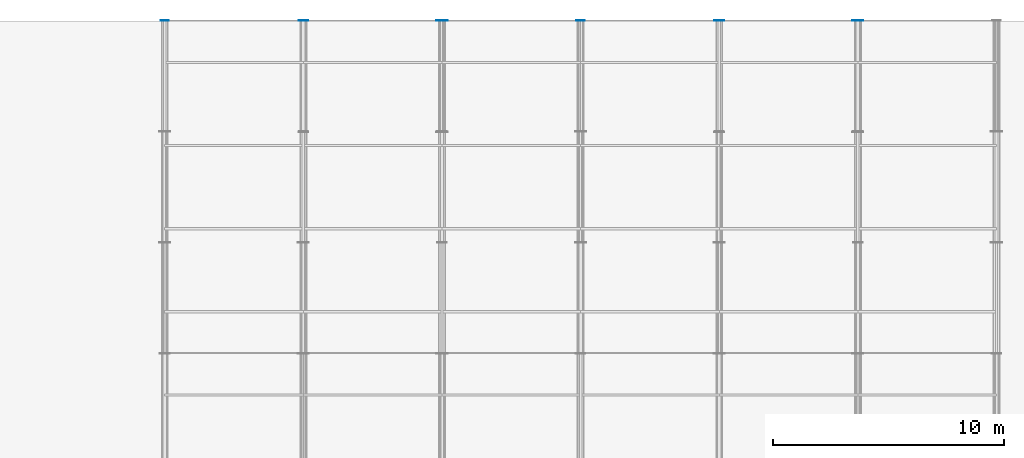
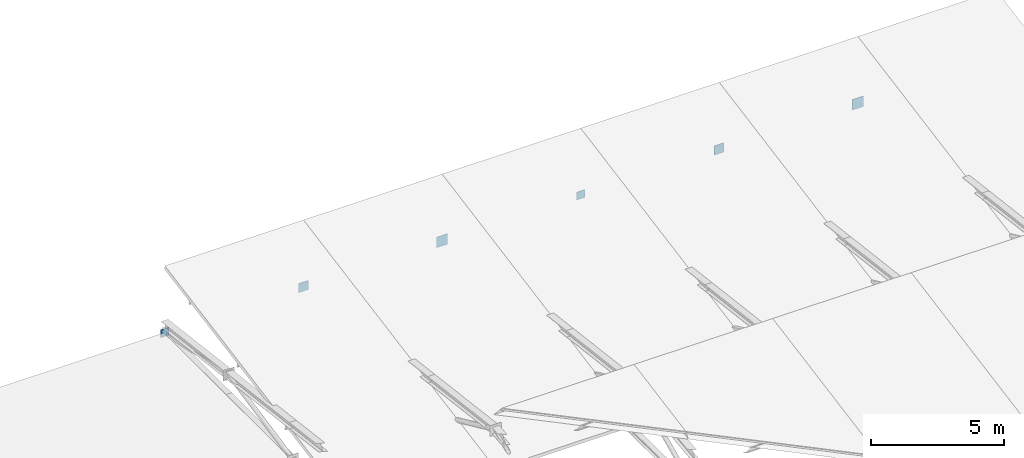
# One storey, part 18 of 32: 6 plates.
"""IFC4 building model written with IfcOpenShell, lengths in metres."""

from ifc_helpers import new_model, si_unit, direction, frame, origin, origin_2d, place, context, subcontext, project, spatial, rectangle, extrude, material, layer, layer_set, type_object, element, save


model = new_model("IFC4")

# Units and contexts
model_context = context("Model", 3, precision=1e-05, world=origin(), true_north=direction((0.0, 1.0)))
body_context = subcontext(model_context, "Body", "Model", "MODEL_VIEW")
ifc_project = project(units=[si_unit("LENGTHUNIT", "METRE"), si_unit("AREAUNIT", "SQUARE_METRE"), si_unit("VOLUMEUNIT", "CUBIC_METRE"), si_unit("PLANEANGLEUNIT", "RADIAN"), si_unit("MASSUNIT", "GRAM", prefix="KILO")], contexts=[model_context])

# Site, building, storey
site_placement = place(None, origin())
site = spatial("IfcSite", under=ifc_project, at=site_placement, CompositionType="ELEMENT")
building_placement = place(site_placement, origin())
building = spatial("IfcBuilding", under=site, at=building_placement, Name="Brisavento Harbour Community Centre", CompositionType="ELEMENT")
storey_placement = place(building_placement, frame((0.0, 0.0, 12.89990234375)))
storey = spatial("IfcBuildingStorey", under=building, at=storey_placement, Name="L03", CompositionType="ELEMENT", Elevation=12.89990234375)

# Plates
ifc_material = material(Name="Steel S355", Category="steel")
ifc_layer_1 = layer(ifc_material, 0.01611328125, Name="Steel S355")
ifc_layer_set_1 = layer_set([ifc_layer_1], Name="Steel S355")
plate_type_1 = type_object("IfcPlateType", Name="PLT-GUS-1", PredefinedType="USERDEFINED", material=ifc_layer_set_1)
for number, where, z_axis, x_axis, name in (
    (1, (129.60009765625, 115.203857421875, -0.1806640625), (0.0, 0.0, 1.0), (0.0, 1.0, 0.0), "V4-TR1-DG6 hollow-end cap plate 2"),
    (2, (147.60009765625, 115.203857421875, -0.1806640625), (0.0, 0.0, 1.0), (0.0, 1.0, 0.0), "V4-TR4-DG6 hollow-end cap plate 2"),
):
    element("IfcPlate", number, at=place(storey_placement, frame(where, z_axis=z_axis, x_axis=x_axis)), inside=storey, type_object=plate_type_1, Name=name, ObjectType="GUSSET PLATE", PredefinedType="USERDEFINED", context=body_context, shape_type="SweptSolid", body=[
        extrude(rectangle(XDim=0.01611328125, YDim=0.360107421875, at=origin_2d()), origin(), (0.0, 0.0, 1.0), 0.360107421875),
    ])
ifc_layer_2 = layer(ifc_material, 0.02001953125, Name="Steel S355")
ifc_layer_set_2 = layer_set([ifc_layer_2], Name="Steel S355")
plate_type_2 = type_object("IfcPlateType", Name="PLT-GUS-2", PredefinedType="USERDEFINED", material=ifc_layer_set_2)
for number, where, z_axis, x_axis, name in (
    (3, (135.60009765625, 115.204833984375, -0.2109375), (0.0, 0.0, 1.0), (0.0, 1.0, 0.0), "V4-TR2-DG6 hollow-end cap plate 2"),
    (4, (153.60009765625, 115.204833984375, -0.2109375), (0.0, 0.0, 1.0), (0.0, 1.0, 0.0), "V4-TR5-DG6 hollow-end cap plate 2"),
):
    element("IfcPlate", number, at=place(storey_placement, frame(where, z_axis=z_axis, x_axis=x_axis)), inside=storey, type_object=plate_type_2, Name=name, ObjectType="GUSSET PLATE", PredefinedType="USERDEFINED", context=body_context, shape_type="SweptSolid", body=[
        extrude(rectangle(XDim=0.02001953125, YDim=0.419921875, at=origin_2d()), origin(), (0.0, 0.0, 1.0), 0.419921875),
    ])
ifc_layer_3 = layer(ifc_material, 0.02392578125, Name="Steel S355")
ifc_layer_set_3 = layer_set([ifc_layer_3], Name="Steel S355")
plate_type_3 = type_object("IfcPlateType", Name="PLT-GUS-3", PredefinedType="USERDEFINED", material=ifc_layer_set_3)
for number, where, z_axis, x_axis, name in (
    (5, (141.60009765625, 115.205810546875, -0.2412109375), (0.0, 0.0, 1.0), (0.0, 1.0, 0.0), "V4-TR3-DG6 hollow-end cap plate 2"),
    (6, (159.60009765625, 115.205810546875, -0.2412109375), (0.0, 0.0, 1.0), (0.0, 1.0, 0.0), "V4-TR6-DG6 hollow-end cap plate 2"),
):
    element("IfcPlate", number, at=place(storey_placement, frame(where, z_axis=z_axis, x_axis=x_axis)), inside=storey, type_object=plate_type_3, Name=name, ObjectType="GUSSET PLATE", PredefinedType="USERDEFINED", context=body_context, shape_type="SweptSolid", body=[
        extrude(rectangle(XDim=0.02392578125, YDim=0.47998046875, at=origin_2d()), origin(), (0.0, 0.0, 1.0), 0.47998046875),
    ])

save(model, "model.ifc")
